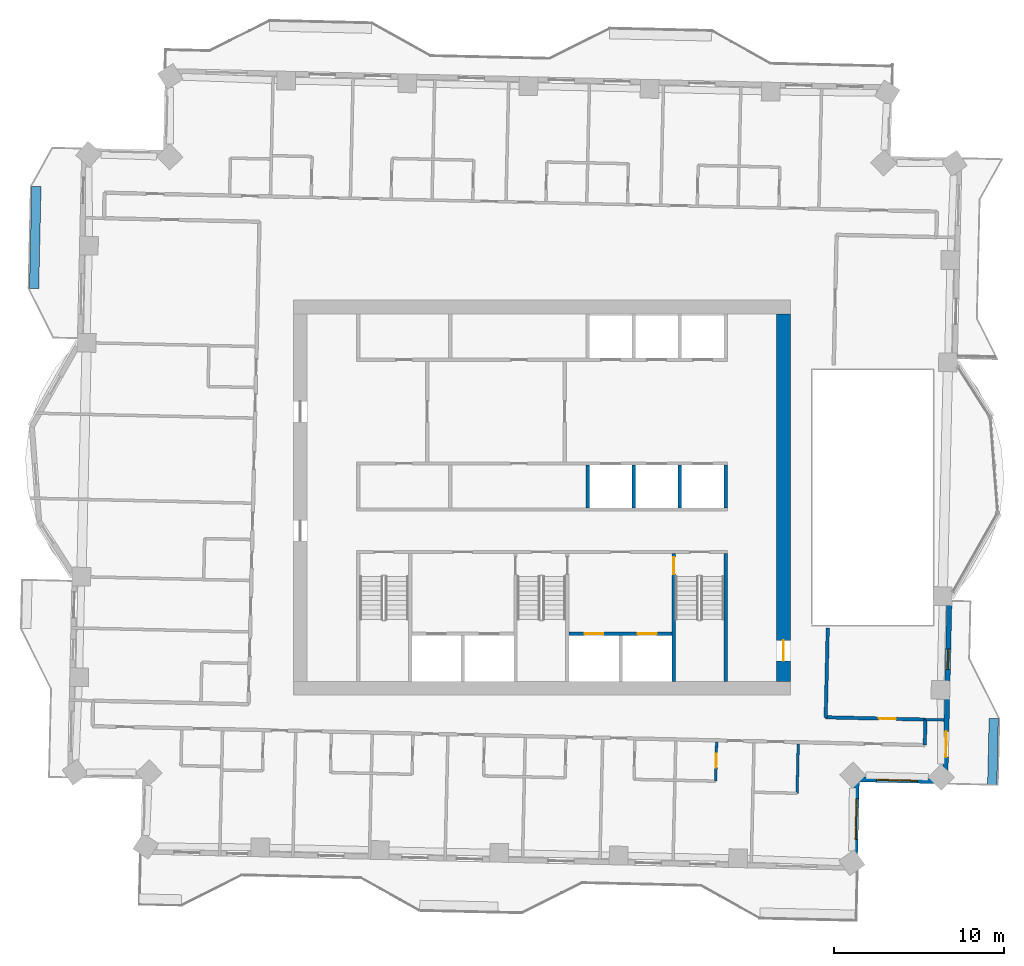
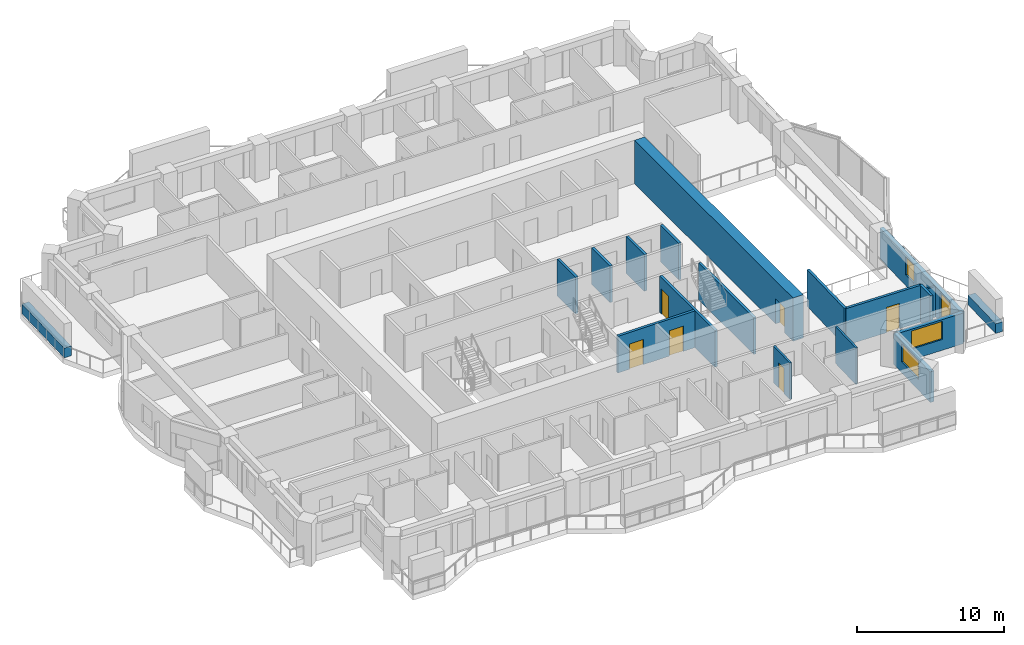
# One storey, part 9 of 16: 19 walls, 7 doors, 3 windows, 10 openings.
"""IFC4 building model written with IfcOpenShell, lengths in metres."""

from ifc_helpers import new_model, si_unit, direction, frame, frame_2d, origin, place, context, subcontext, project, spatial, rectangle, extrude, material, layer, layer_set, type_object, element, fill, save


model = new_model("IFC4")

# Units and contexts
model_context = context("Model", 3, precision=1e-05, world=origin(), true_north=direction((0.0, 1.0)))
body_context = subcontext(model_context, "Body", "Model", "MODEL_VIEW")
ifc_project = project(units=[si_unit("LENGTHUNIT", "METRE"), si_unit("AREAUNIT", "SQUARE_METRE"), si_unit("VOLUMEUNIT", "CUBIC_METRE"), si_unit("PLANEANGLEUNIT", "RADIAN"), si_unit("MASSUNIT", "GRAM", prefix="KILO")], contexts=[model_context])

# Site, building, storey
site_placement = place(None, origin())
site = spatial("IfcSite", under=ifc_project, at=site_placement, CompositionType="ELEMENT")
building_placement = place(site_placement, origin())
building = spatial("IfcBuilding", under=site, at=building_placement, Name="Mangrove Gate Tower", CompositionType="ELEMENT")
storey_placement = place(building_placement, frame((0.0, 0.0, 215.89990234375)))
storey = spatial("IfcBuildingStorey", under=building, at=storey_placement, Name="L55", CompositionType="ELEMENT", Elevation=215.89990234375)

# Wall, openings, doors
ifc_material_1 = material(Name="Concrete C60/75", Category="concrete")
ifc_layer_1 = layer(ifc_material_1, 0.199951171875)
ifc_layer_set_1 = layer_set([ifc_layer_1], Name="Core shaft wall 200 C60/75")
wall_type_1 = type_object("IfcWallType", Name="Core shaft wall 200 C60/75", PredefinedType="SHEAR", material=ifc_layer_set_1)
wall_1_placement = place(storey_placement, frame((1.60009765625, -8.0, 0.0), z_axis=(0.0, 0.0, 1.0), x_axis=(1.0, 0.0, 0.0)))
wall_1 = element("IfcWall", 1, at=wall_1_placement, inside=storey, type_object=wall_type_1, Name="WALL-L55-CORE-17", PredefinedType="SHEAR", context=body_context, shape_type="SweptSolid", body=[
    extrude(rectangle(XDim=6.0498046875, YDim=0.199951171875, at=frame_2d((3.02490234375, 0.0))), origin(), (0.0, 0.0, 1.0), 3.050048828125),
])
opening_1_placement = place(wall_1_placement, frame((0.91259765625, 0.0, 0.0)))
opening_1 = element("IfcOpeningElement", 2, at=opening_1_placement, cuts=wall_1, Name="Opening LD", PredefinedType="OPENING", context=body_context, shape_type="SweptSolid", body=[
    extrude(rectangle(XDim=1.10009765625, YDim=2.10009765625, at=frame_2d((0.550048828125, 1.050048828125))), frame((0.0, 0.10986328125, 0.0), z_axis=(0.0, -1.0, 0.0), x_axis=(1.0, 0.0, 0.0)), (0.0, 0.0, 1.0), 0.219970703125),
])
opening_2_placement = place(wall_1_placement, frame((4.03759765625, 0.0, 0.0)))
opening_2 = element("IfcOpeningElement", 3, at=opening_2_placement, cuts=wall_1, Name="Opening LD", PredefinedType="OPENING", context=body_context, shape_type="SweptSolid", body=[
    extrude(rectangle(XDim=1.10009765625, YDim=2.10009765625, at=frame_2d((0.550048828125, 1.050048828125))), frame((0.0, 0.10986328125, 0.0), z_axis=(0.0, -1.0, 0.0), x_axis=(1.0, 0.0, 0.0)), (0.0, 0.0, 1.0), 0.219970703125),
])
ifc_material_2 = material(Name="Stainless steel 316", Category="steel")
door_type_1 = type_object("IfcDoorType", Name="Lift landing door 1100x2100", OperationType="SLIDING_TO_LEFT", PredefinedType="DOOR", material=ifc_material_2)
door_1_placement = place(opening_1_placement, origin())
door_1 = element("IfcDoor", 4, at=door_1_placement, inside=storey, type_object=door_type_1, Name="Landing door LD FFL1", OperationType="SLIDING_TO_LEFT", OverallHeight=2.10009765625, OverallWidth=1.10009765625, PredefinedType="DOOR", context=body_context, shape_type="SweptSolid", body=[
    extrude(rectangle(XDim=1.10009765625, YDim=2.10009765625, at=frame_2d((0.550048828125, 1.050048828125))), frame((0.0, 0.02490234375, 0.0), z_axis=(0.0, -1.0, 0.0), x_axis=(1.0, 0.0, 0.0)), (0.0, 0.0, 1.0), 0.050048828125),
])
fill(opening_1, door_1)
door_2_placement = place(opening_2_placement, origin())
door_2 = element("IfcDoor", 5, at=door_2_placement, inside=storey, type_object=door_type_1, Name="Landing door LD FFL2", OperationType="SLIDING_TO_LEFT", OverallHeight=2.10009765625, OverallWidth=1.10009765625, PredefinedType="DOOR", context=body_context, shape_type="SweptSolid", body=[
    extrude(rectangle(XDim=1.10009765625, YDim=2.10009765625, at=frame_2d((0.550048828125, 1.050048828125))), frame((0.0, 0.02490234375, 0.0), z_axis=(0.0, -1.0, 0.0), x_axis=(1.0, 0.0, 0.0)), (0.0, 0.0, 1.0), 0.050048828125),
])
fill(opening_2, door_2)

# Walls
for number, where, z_axis, x_axis, name in (
    (6, (2.699951171875, -0.60009765625, 0.0), (0.0, 0.0, 1.0), (0.0, 1.0, 0.0), "WALL-L55-CORE-21"),
    (7, (5.39990234375, -0.60009765625, 0.0), (0.0, 0.0, 1.0), (0.0, 1.0, 0.0), "WALL-L55-CORE-22"),
    (8, (8.10009765625, -0.60009765625, 0.0), (0.0, 0.0, 1.0), (0.0, 1.0, 0.0), "WALL-L55-CORE-23"),
    (9, (10.800048828125, -0.60009765625, 0.0), (0.0, 0.0, 1.0), (0.0, 1.0, 0.0), "WALL-L55-CORE-24"),
):
    element("IfcWall", number, at=place(storey_placement, frame(where, z_axis=z_axis, x_axis=x_axis)), inside=storey, type_object=wall_type_1, Name=name, PredefinedType="SHEAR", context=body_context, shape_type="SweptSolid", body=[
        extrude(rectangle(XDim=2.5, YDim=0.199951171875, at=frame_2d((1.25, 0.0))), origin(), (0.0, 0.0, 1.0), 3.050048828125),
    ])

# Wall, opening, door
ifc_material_3 = material(Name="Concrete C60/75", Category="concrete")
ifc_layer_2 = layer(ifc_material_3, 0.199951171875)
ifc_layer_set_2 = layer_set([ifc_layer_2], Name="Core stair wall 200 C60/75")
wall_type_2 = type_object("IfcWallType", Name="Core stair wall 200 C60/75", PredefinedType="SHEAR", material=ifc_layer_set_2)
wall_2_placement = place(storey_placement, frame((7.75, -10.800048828125, 0.0), z_axis=(0.0, 0.0, 1.0), x_axis=(0.0, 1.0, 0.0)))
wall_2 = element("IfcWall", 10, at=wall_2_placement, inside=storey, type_object=wall_type_2, Name="WALL-L55-CORE-13", PredefinedType="SHEAR", context=body_context, shape_type="SweptSolid", body=[
    extrude(rectangle(XDim=7.5, YDim=0.199951171875, at=frame_2d((3.75, 0.0))), origin(), (0.0, 0.0, 1.0), 3.050048828125),
])
opening_3_placement = place(wall_2_placement, frame((6.300048828125, 0.0, 0.0)))
opening_3 = element("IfcOpeningElement", 11, at=opening_3_placement, cuts=wall_2, Name="Opening STD10", PredefinedType="OPENING", context=body_context, shape_type="SweptSolid", body=[
    extrude(rectangle(XDim=1.0, YDim=2.10009765625, at=frame_2d((0.5, 1.050048828125))), frame((0.0, 0.10986328125, 0.0), z_axis=(0.0, -1.0, 0.0), x_axis=(1.0, 0.0, 0.0)), (0.0, 0.0, 1.0), 0.219970703125),
])
ifc_material_4 = material(Name="Fire-rated steel door set", Category="steel")
door_type_2 = type_object("IfcDoorType", Name="Stair door FD60 1000x2100", OperationType="SINGLE_SWING_RIGHT", PredefinedType="DOOR", material=ifc_material_4)
door_3_placement = place(opening_3_placement, origin())
door_3 = element("IfcDoor", 12, at=door_3_placement, inside=storey, type_object=door_type_2, Name="Stair door Stair 3 from fire-fighting lobby", OperationType="SINGLE_SWING_RIGHT", OverallHeight=2.10009765625, OverallWidth=1.0, PredefinedType="DOOR", context=body_context, shape_type="SweptSolid", body=[
    extrude(rectangle(XDim=1.0, YDim=2.10009765625, at=frame_2d((0.5, 1.050048828125))), frame((0.0, 0.02490234375, 0.0), z_axis=(0.0, -1.0, 0.0), x_axis=(1.0, 0.0, 0.0)), (0.0, 0.0, 1.0), 0.050048828125),
])
fill(opening_3, door_3)

# Wall
wall_3_placement = place(storey_placement, frame((10.800048828125, -10.800048828125, 0.0), z_axis=(0.0, 0.0, 1.0), x_axis=(0.0, 1.0, 0.0)))
element("IfcWall", 13, at=wall_3_placement, inside=storey, type_object=wall_type_2, Name="WALL-L55-CORE-14", PredefinedType="SHEAR", context=body_context, shape_type="SweptSolid", body=[
    extrude(rectangle(XDim=7.5, YDim=0.199951171875, at=frame_2d((3.75, 0.0))), origin(), (0.0, 0.0, 1.0), 3.050048828125),
])

# Wall, opening, door
ifc_material_5 = material(Name="Concrete C60/75", Category="concrete")
ifc_layer_3 = layer(ifc_material_5, 0.800048828125)
ifc_layer_set_3 = layer_set([ifc_layer_3], Name="Core wall 800 C60/75")
wall_type_3 = type_object("IfcWallType", Name="Core wall 800 C60/75", PredefinedType="SHEAR", material=ifc_layer_set_3)
wall_4_placement = place(storey_placement, frame((14.199951171875, -10.800048828125, 0.0), z_axis=(0.0, 0.0, 1.0), x_axis=(0.0, 1.0, 0.0)))
wall_4 = element("IfcWall", 14, at=wall_4_placement, inside=storey, type_object=wall_type_3, Name="WALL-L55-CORE-4", PredefinedType="SHEAR", context=body_context, shape_type="SweptSolid", body=[
    extrude(rectangle(XDim=21.60009765625, YDim=0.800048828125, at=frame_2d((10.800048828125, 0.0))), origin(), (0.0, 0.0, 1.0), 3.60009765625),
])
opening_4_placement = place(wall_4_placement, frame((1.199951171875, 0.0, 0.0)))
opening_4 = element("IfcOpeningElement", 15, at=opening_4_placement, cuts=wall_4, Name="Opening CD", PredefinedType="OPENING", context=body_context, shape_type="SweptSolid", body=[
    extrude(rectangle(XDim=1.199951171875, YDim=2.10009765625, at=frame_2d((0.60009765625, 1.050048828125))), frame((0.0, 0.409912109375, 0.0), z_axis=(0.0, -1.0, 0.0), x_axis=(1.0, 0.0, 0.0)), (0.0, 0.0, 1.0), 0.820068359375),
])
ifc_material_6 = material(Name="Fire-rated steel door set", Category="steel")
door_type_3 = type_object("IfcDoorType", Name="Core ring door FD60 1200x2100", OperationType="DOUBLE_DOOR_SINGLE_SWING", PredefinedType="DOOR", material=ifc_material_6)
door_4_placement = place(opening_4_placement, origin())
door_4 = element("IfcDoor", 16, at=door_4_placement, inside=storey, type_object=door_type_3, Name="Core ring door E1", OperationType="DOUBLE_DOOR_SINGLE_SWING", OverallHeight=2.10009765625, OverallWidth=1.199951171875, PredefinedType="DOOR", context=body_context, shape_type="SweptSolid", body=[
    extrude(rectangle(XDim=1.199951171875, YDim=2.10009765625, at=frame_2d((0.60009765625, 1.050048828125))), frame((0.0, 0.02490234375, 0.0), z_axis=(0.0, -1.0, 0.0), x_axis=(1.0, 0.0, 0.0)), (0.0, 0.0, 1.0), 0.050048828125),
])
fill(opening_4, door_4)

# Wall
ifc_material_7 = material(Name="Gypsum board on steel stud, EI 60", Category="steel")
ifc_layer_4 = layer(ifc_material_7, 0.199951171875)
ifc_layer_set_4 = layer_set([ifc_layer_4], Name="Corridor wall EI 60")
wall_type_4 = type_object("IfcWallType", Name="Corridor wall EI 60", PredefinedType="PARTITIONING", material=ifc_layer_set_4)
wall_5_placement = place(storey_placement, frame((22.509033203125, -14.551025390625, 0.0), z_axis=(0.0, 0.0, 1.0), x_axis=(0.022632637625, 0.99974384905, 0.0)))
element("IfcWall", 17, at=wall_5_placement, inside=storey, type_object=wall_type_4, Name="WALL-L55-026", PredefinedType="PARTITIONING", context=body_context, shape_type="SweptSolid", body=[
    extrude(rectangle(XDim=1.49951171875, YDim=0.199951171875, at=frame_2d((0.749755859375, 0.0))), origin(), (0.0, 0.0, 1.0), 3.050048828125),
])

# Wall, opening, door
wall_6_placement = place(storey_placement, frame((16.678955078125, -12.91796875, 0.0), z_axis=(0.0, 0.0, 1.0), x_axis=(0.999739057042, -0.022843332181, 0.0)))
wall_6 = element("IfcWall", 18, at=wall_6_placement, inside=storey, type_object=wall_type_4, Name="WALL-L55-031", PredefinedType="PARTITIONING", context=body_context, shape_type="SweptSolid", body=[
    extrude(rectangle(XDim=5.867431640625, YDim=0.199951171875, at=frame_2d((2.93359375, 0.0))), origin(), (0.0, 0.0, 1.0), 3.050048828125),
])
opening_5_placement = place(wall_6_placement, frame((3.134033203125, 0.0, 0.0)))
opening_5 = element("IfcOpeningElement", 19, at=opening_5_placement, cuts=wall_6, Name="Opening AD", PredefinedType="OPENING", context=body_context, shape_type="SweptSolid", body=[
    extrude(rectangle(XDim=1.0, YDim=2.10009765625, at=frame_2d((0.5, 1.050048828125))), frame((0.0, 0.10986328125, 0.0), z_axis=(0.0, -1.0, 0.0), x_axis=(1.0, 0.0, 0.0)), (0.0, 0.0, 1.0), 0.219970703125),
])
ifc_material_8 = material(Name="Timber door leaf", Category="wood")
door_type_4 = type_object("IfcDoorType", Name="Amenity door 1000", OperationType="SINGLE_SWING_LEFT", PredefinedType="DOOR", material=ifc_material_8)
door_5_placement = place(opening_5_placement, origin())
door_5 = element("IfcDoor", 20, at=door_5_placement, inside=storey, type_object=door_type_4, Name="DOOR-L55-LNG-c3a", OperationType="SINGLE_SWING_LEFT", OverallHeight=2.10009765625, OverallWidth=1.0, PredefinedType="DOOR", context=body_context, shape_type="SweptSolid", body=[
    extrude(rectangle(XDim=1.0, YDim=2.10009765625, at=frame_2d((0.5, 1.050048828125))), frame((0.0, 0.02490234375, 0.0), z_axis=(0.0, -1.0, 0.0), x_axis=(1.0, 0.0, 0.0)), (0.0, 0.0, 1.0), 0.050048828125),
])
fill(opening_5, door_5)

# Wall
wall_7_placement = place(storey_placement, frame((16.68408203125, -12.9189453125, 0.0), z_axis=(0.0, 0.0, 1.0), x_axis=(0.022667483124, 0.999743059595, 0.0)))
element("IfcWall", 21, at=wall_7_placement, inside=storey, type_object=wall_type_4, Name="WALL-L55-032", PredefinedType="PARTITIONING", context=body_context, shape_type="SweptSolid", body=[
    extrude(rectangle(XDim=5.245361328125, YDim=0.199951171875, at=frame_2d((2.62255859375, 0.0))), origin(), (0.0, 0.0, 1.0), 3.050048828125),
])

# Wall, openings, door, window
ifc_material_9 = material(Name="Limestone", Category="masonry")
ifc_layer_5 = layer(ifc_material_9, 0.0400390625, Name="Limestone cladding")
ifc_material_10 = material(Name="Ventilated air gap")
ifc_layer_6 = layer(ifc_material_10, 0.0400390625, Name="Ventilated cavity")
ifc_material_11 = material(Name="Mineral wool insulation")
ifc_layer_7 = layer(ifc_material_11, 0.06005859375, Name="Insulation")
ifc_material_12 = material(Name="Breather membrane")
ifc_layer_8 = layer(ifc_material_12, 0.001953125, Name="Breather membrane")
ifc_material_13 = material(Name="Concrete C20/25 blockwork", Category="masonry")
ifc_layer_9 = layer(ifc_material_13, 0.14990234375, Name="Blockwork backing wall")
ifc_material_14 = material(Name="Gypsum plaster")
ifc_layer_10 = layer(ifc_material_14, 0.008056640625, Name="Internal plaster")
ifc_layer_set_5 = layer_set([ifc_layer_5, ifc_layer_6, ifc_layer_7, ifc_layer_8, ifc_layer_9, ifc_layer_10], Name="External wall 300 limestone cladding")
wall_type_5 = type_object("IfcWallType", Name="External wall 300 limestone cladding", PredefinedType="SOLIDWALL", material=ifc_layer_set_5)
wall_8_placement = place(storey_placement, frame((23.712890625, -16.678955078125, 0.0), z_axis=(0.0, 0.0, 1.0), x_axis=(0.022674801414, 0.999742893639, 0.0)))
wall_8 = element("IfcWall", 22, at=wall_8_placement, inside=storey, type_object=wall_type_5, Name="WALL-L55-E0s1", PredefinedType="SOLIDWALL", context=body_context, shape_type="SweptSolid", body=[
    extrude(rectangle(XDim=11.423828125, YDim=0.300048828125, at=frame_2d((5.7119140625, 0.0))), origin(), (0.0, 0.0, 1.0), 2.550048828125),
])
opening_6_placement = place(wall_8_placement, frame((1.427978515625, 0.0, 0.0)))
opening_6 = element("IfcOpeningElement", 23, at=opening_6_placement, cuts=wall_8, Name="Opening BD1", PredefinedType="OPENING", context=body_context, shape_type="SweptSolid", body=[
    extrude(rectangle(XDim=1.5, YDim=2.39990234375, at=frame_2d((0.75, 1.199951171875))), frame((0.0, 0.159912109375, 0.0), z_axis=(0.0, -1.0, 0.0), x_axis=(1.0, 0.0, 0.0)), (0.0, 0.0, 1.0), 0.320068359375),
])
opening_7_placement = place(wall_8_placement, frame((6.576904296875, 0.0, 0.89990234375)))
opening_7 = element("IfcOpeningElement", 24, at=opening_7_placement, cuts=wall_8, Name="Opening W1", PredefinedType="OPENING", context=body_context, shape_type="SweptSolid", body=[
    extrude(rectangle(XDim=1.199951171875, YDim=1.5, at=frame_2d((0.60009765625, 0.75))), frame((0.0, 0.159912109375, 0.0), z_axis=(0.0, -1.0, 0.0), x_axis=(1.0, 0.0, 0.0)), (0.0, 0.0, 1.0), 0.320068359375),
])
ifc_material_15 = material(Name="Aluminium frame with laminated clear glass", Category="aluminium")
door_type_5 = type_object("IfcDoorType", Name="Balcony sliding door 1500x2400", OperationType="SLIDING_TO_LEFT", PredefinedType="DOOR", material=ifc_material_15)
door_6_placement = place(opening_6_placement, origin())
door_6 = element("IfcDoor", 25, at=door_6_placement, inside=storey, type_object=door_type_5, Name="DOOR-L55-E0-1", OperationType="SLIDING_TO_LEFT", OverallHeight=2.39990234375, OverallWidth=1.5, PredefinedType="DOOR", context=body_context, shape_type="SweptSolid", body=[
    extrude(rectangle(XDim=1.5, YDim=2.39990234375, at=frame_2d((0.75, 1.199951171875))), frame((0.0, 0.02490234375, 0.0), z_axis=(0.0, -1.0, 0.0), x_axis=(1.0, 0.0, 0.0)), (0.0, 0.0, 1.0), 0.050048828125),
])
fill(opening_6, door_6)
ifc_material_16 = material(Name="Aluminium frame with double-glazed low-e glass", Category="aluminium")
window_type_1 = type_object("IfcWindowType", Name="Side lite 1200x1500", PartitioningType="SINGLE_PANEL", PredefinedType="WINDOW", material=ifc_material_16)
window_1_placement = place(opening_7_placement, origin())
window_1 = element("IfcWindow", 26, at=window_1_placement, inside=storey, type_object=window_type_1, Name="WIN-L55-E0-2", OverallHeight=1.5, OverallWidth=1.199951171875, PartitioningType="SINGLE_PANEL", PredefinedType="WINDOW", context=body_context, shape_type="SweptSolid", body=[
    extrude(rectangle(XDim=1.199951171875, YDim=1.5, at=frame_2d((0.60009765625, 0.75))), frame((0.0, 0.030029296875, 0.0), z_axis=(0.0, -1.0, 0.0), x_axis=(1.0, 0.0, 0.0)), (0.0, 0.0, 1.0), 0.06005859375),
])
fill(opening_7, window_1)

# Wall, opening, window
wall_9_placement = place(storey_placement, frame((18.39599609375, -21.760009765625, 0.0), z_axis=(0.0, 0.0, 1.0), x_axis=(0.022675548694, 0.99974287669, 0.0)))
wall_9 = element("IfcWall", 27, at=wall_9_placement, inside=storey, type_object=wall_type_5, Name="WALL-L55-E14", PredefinedType="SOLIDWALL", context=body_context, shape_type="SweptSolid", body=[
    extrude(rectangle(XDim=5.2001953125, YDim=0.300048828125, at=frame_2d((2.60009765625, 0.0))), origin(), (0.0, 0.0, 1.0), 2.550048828125),
])
opening_8_placement = place(wall_9_placement, frame((1.660888671875, 0.0, 0.89990234375)))
opening_8 = element("IfcOpeningElement", 28, at=opening_8_placement, cuts=wall_9, Name="Opening W2", PredefinedType="OPENING", context=body_context, shape_type="SweptSolid", body=[
    extrude(rectangle(XDim=2.39990234375, YDim=1.5, at=frame_2d((1.199951171875, 0.75))), frame((0.0, 0.159912109375, 0.0), z_axis=(0.0, -1.0, 0.0), x_axis=(1.0, 0.0, 0.0)), (0.0, 0.0, 1.0), 0.320068359375),
])
ifc_material_17 = material(Name="Aluminium frame with double-glazed low-e glass", Category="aluminium")
window_type_2 = type_object("IfcWindowType", Name="Corner room window 2400x1500", PartitioningType="DOUBLE_PANEL_VERTICAL", PredefinedType="WINDOW", material=ifc_material_17)
window_2_placement = place(opening_8_placement, origin())
window_2 = element("IfcWindow", 29, at=window_2_placement, inside=storey, type_object=window_type_2, Name="WIN-L55-E14-1", OverallHeight=1.5, OverallWidth=2.39990234375, PartitioningType="DOUBLE_PANEL_VERTICAL", PredefinedType="WINDOW", context=body_context, shape_type="SweptSolid", body=[
    extrude(rectangle(XDim=2.39990234375, YDim=1.5, at=frame_2d((1.199951171875, 0.75))), frame((0.0, 0.030029296875, 0.0), z_axis=(0.0, -1.0, 0.0), x_axis=(1.0, 0.0, 0.0)), (0.0, 0.0, 1.0), 0.06005859375),
])
fill(opening_8, window_2)

wall_10_placement = place(storey_placement, frame((18.513916015625, -16.56103515625, 0.0), z_axis=(0.0, 0.0, 1.0), x_axis=(0.99974287669, -0.022675548694, 0.0)))
wall_10 = element("IfcWall", 30, at=wall_10_placement, inside=storey, type_object=wall_type_5, Name="WALL-L55-S15", PredefinedType="SOLIDWALL", context=body_context, shape_type="SweptSolid", body=[
    extrude(rectangle(XDim=5.2001953125, YDim=0.300048828125, at=frame_2d((2.60009765625, 0.0))), origin(), (0.0, 0.0, 1.0), 2.550048828125),
])
opening_9_placement = place(wall_10_placement, frame((1.156005859375, 0.0, 0.89990234375)))
opening_9 = element("IfcOpeningElement", 31, at=opening_9_placement, cuts=wall_10, Name="Opening W2", PredefinedType="OPENING", context=body_context, shape_type="SweptSolid", body=[
    extrude(rectangle(XDim=2.39990234375, YDim=1.5, at=frame_2d((1.199951171875, 0.75))), frame((0.0, 0.159912109375, 0.0), z_axis=(0.0, -1.0, 0.0), x_axis=(1.0, 0.0, 0.0)), (0.0, 0.0, 1.0), 0.320068359375),
])
window_3_placement = place(opening_9_placement, origin())
window_3 = element("IfcWindow", 32, at=window_3_placement, inside=storey, type_object=window_type_2, Name="WIN-L55-S15-1", OverallHeight=1.5, OverallWidth=2.39990234375, PartitioningType="DOUBLE_PANEL_VERTICAL", PredefinedType="WINDOW", context=body_context, shape_type="SweptSolid", body=[
    extrude(rectangle(XDim=2.39990234375, YDim=1.5, at=frame_2d((1.199951171875, 0.75))), frame((0.0, 0.030029296875, 0.0), z_axis=(0.0, -1.0, 0.0), x_axis=(1.0, 0.0, 0.0)), (0.0, 0.0, 1.0), 0.06005859375),
])
fill(opening_9, window_3)

# Wall
ifc_material_18 = material(Name="Gypsum board on steel stud, EI 60", Category="steel")
ifc_layer_11 = layer(ifc_material_18, 0.14990234375)
ifc_layer_set_6 = layer_set([ifc_layer_11], Name="Party wall 150 EI 60")
wall_type_6 = type_object("IfcWallType", Name="Party wall 150 EI 60", PredefinedType="PARTITIONING", material=ifc_layer_set_6)
wall_11_placement = place(storey_placement, frame((15.001953125, -17.382080078125, 0.0), z_axis=(0.0, 0.0, 1.0), x_axis=(0.022807433839, 0.999739876649, 0.0)))
element("IfcWall", 33, at=wall_11_placement, inside=storey, type_object=wall_type_6, Name="WALL-L55-010", PredefinedType="PARTITIONING", context=body_context, shape_type="SweptSolid", body=[
    extrude(rectangle(XDim=2.90087890625, YDim=0.14990234375, at=frame_2d((1.450439453125, 0.0))), origin(), (0.0, 0.0, 1.0), 3.050048828125),
])

# Wall, opening, door
wall_12_placement = place(storey_placement, frame((10.217041015625, -16.673095703125, 0.0), z_axis=(0.0, 0.0, 1.0), x_axis=(0.023027540424, 0.999734831034, 0.0)))
wall_12 = element("IfcWall", 34, at=wall_12_placement, inside=storey, type_object=wall_type_6, Name="WALL-L55-021", PredefinedType="PARTITIONING", context=body_context, shape_type="SweptSolid", body=[
    extrude(rectangle(XDim=2.300537109375, YDim=0.14990234375, at=frame_2d((1.150390625, 0.0))), origin(), (0.0, 0.0, 1.0), 3.050048828125),
])
opening_10_placement = place(wall_12_placement, frame((0.800048828125, 0.0, 0.0)))
opening_10 = element("IfcOpeningElement", 35, at=opening_10_placement, cuts=wall_12, Name="Opening ED", PredefinedType="OPENING", context=body_context, shape_type="SweptSolid", body=[
    extrude(rectangle(XDim=0.800048828125, YDim=2.10009765625, at=frame_2d((0.39990234375, 1.050048828125))), frame((0.0, 0.0849609375, 0.0), z_axis=(0.0, -1.0, 0.0), x_axis=(1.0, 0.0, 0.0)), (0.0, 0.0, 1.0), 0.169921875),
])
ifc_material_19 = material(Name="Timber door leaf", Category="wood")
door_type_6 = type_object("IfcDoorType", Name="En-suite door 800", OperationType="SINGLE_SWING_LEFT", PredefinedType="DOOR", material=ifc_material_19)
door_7_placement = place(opening_10_placement, origin())
door_7 = element("IfcDoor", 36, at=door_7_placement, inside=storey, type_object=door_type_6, Name="DOOR-L55-ENS-c307", OperationType="SINGLE_SWING_LEFT", OverallHeight=2.10009765625, OverallWidth=0.800048828125, PredefinedType="DOOR", context=body_context, shape_type="SweptSolid", body=[
    extrude(rectangle(XDim=0.800048828125, YDim=2.10009765625, at=frame_2d((0.39990234375, 1.050048828125))), frame((0.0, 0.02490234375, 0.0), z_axis=(0.0, -1.0, 0.0), x_axis=(1.0, 0.0, 0.0)), (0.0, 0.0, 1.0), 0.050048828125),
])
fill(opening_10, door_7)

# Walls
wall_13_placement = place(storey_placement, frame((22.541015625, -13.051025390625, 0.0), z_axis=(0.0, 0.0, 1.0), x_axis=(0.999725373977, -0.023434517833, 0.0)))
element("IfcWall", 37, at=wall_13_placement, inside=storey, type_object=wall_type_6, Name="WALL-L55-033", PredefinedType="PARTITIONING", context=body_context, shape_type="SweptSolid", body=[
    extrude(rectangle(XDim=1.104248046875, YDim=0.14990234375, at=frame_2d((0.55224609375, 0.0))), origin(), (0.0, 0.0, 1.0), 2.550048828125),
])
ifc_material_20 = material(Name="Concrete C32/40", Category="concrete")
ifc_layer_12 = layer(ifc_material_20, 0.199951171875, Name="Planter trough wall")
ifc_material_21 = material(Name="Bituminous waterproofing membrane")
ifc_layer_13 = layer(ifc_material_21, 0.0048828125, Name="Waterproofing")
ifc_material_22 = material(Name="Drainage board and gravel")
ifc_layer_14 = layer(ifc_material_22, 0.044921875, Name="Drainage layer")
ifc_material_23 = material(Name="Planting soil")
ifc_layer_15 = layer(ifc_material_23, 0.300048828125, Name="Growing medium")
ifc_layer_set_7 = layer_set([ifc_layer_12, ifc_layer_13, ifc_layer_14, ifc_layer_15], Name="Planter wall 550 C32/40")
wall_type_7 = type_object("IfcWallType", Name="Planter wall 550 C32/40", PredefinedType="USERDEFINED", material=ifc_layer_set_7)
wall_14_placement = place(storey_placement, frame((26.47412109375, -16.89208984375, 0.0), z_axis=(0.0, 0.0, 1.0), x_axis=(0.022535131088, 0.999746051689, 0.0)))
element("IfcWall", 38, at=wall_14_placement, inside=storey, type_object=wall_type_7, Name="PLANTER L55 E0.1", ObjectType="PLANTER", PredefinedType="USERDEFINED", context=body_context, shape_type="SweptSolid", body=[
    extrude(rectangle(XDim=3.900146484375, YDim=0.550048828125, at=frame_2d((1.9501953125, 0.0))), origin(), (0.0, 0.0, 1.0), 0.800048828125),
])
wall_15_placement = place(storey_placement, frame((-29.85302734375, 12.2939453125, 0.0), z_axis=(0.0, 0.0, 1.0), x_axis=(0.022665943652, 0.999743094499, 0.0)))
element("IfcWall", 39, at=wall_15_placement, inside=storey, type_object=wall_type_7, Name="PLANTER L55 W0.1", ObjectType="PLANTER", PredefinedType="USERDEFINED", context=body_context, shape_type="SweptSolid", body=[
    extrude(rectangle(XDim=5.99951171875, YDim=0.550048828125, at=frame_2d((2.999755859375, 0.0))), origin(), (0.0, 0.0, 1.0), 0.800048828125),
])

save(model, "model.ifc")
